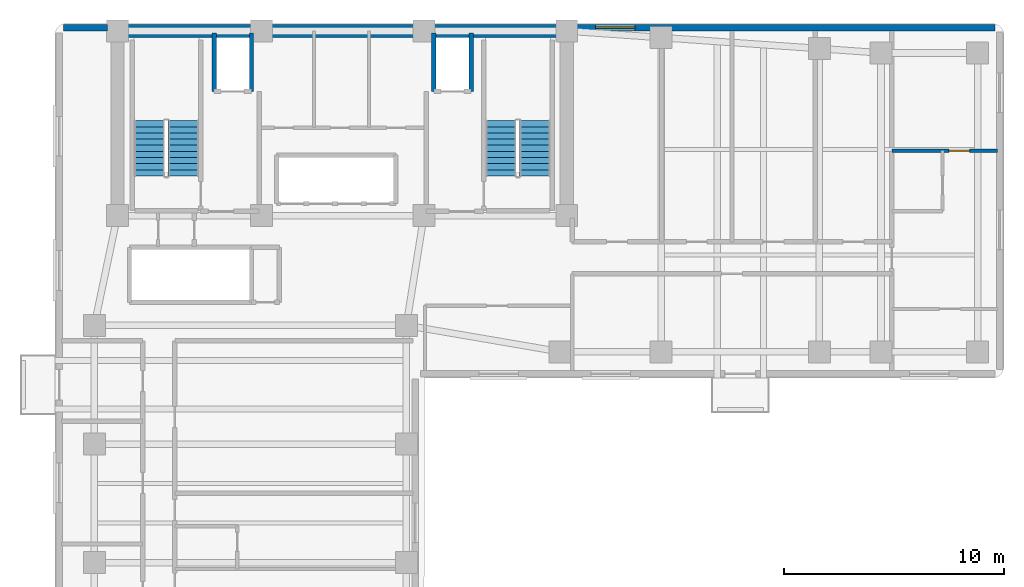
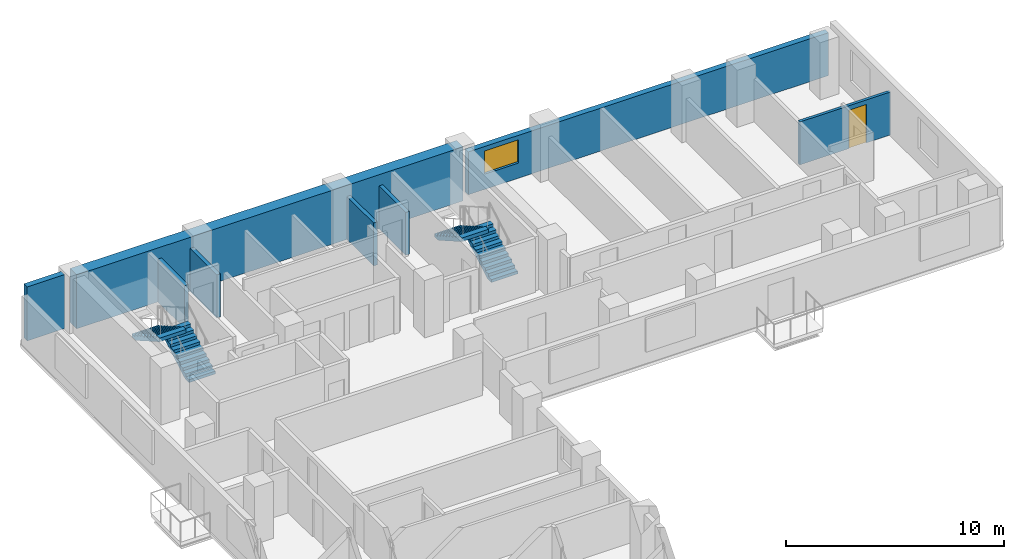
# One storey, part 5 of 7: 8 walls, 4 stair flights, 1 door, 1 window, 2 openings, 2 elements without a shape of their own.
"""IFC4 building model written with IfcOpenShell, lengths in metres."""

from ifc_helpers import new_model, si_unit, direction, frame, frame_2d, origin, place, context, subcontext, project, spatial, polyline, rectangle, outline, extrude, material, layer, layer_set, type_object, element, fill, aggregate, save


model = new_model("IFC4")

# Units and contexts
model_context = context("Model", 3, precision=1e-05, world=origin(), true_north=direction((0.0, 1.0)))
body_context = subcontext(model_context, "Body", "Model", "MODEL_VIEW")
ifc_project = project(units=[si_unit("LENGTHUNIT", "METRE"), si_unit("AREAUNIT", "SQUARE_METRE"), si_unit("VOLUMEUNIT", "CUBIC_METRE"), si_unit("PLANEANGLEUNIT", "RADIAN"), si_unit("MASSUNIT", "GRAM", prefix="KILO")], contexts=[model_context])

# Site, building, storey
site_placement = place(None, origin())
site = spatial("IfcSite", under=ifc_project, at=site_placement, CompositionType="ELEMENT")
building_placement = place(site_placement, origin())
building = spatial("IfcBuilding", under=site, at=building_placement, Name="Kuzgunbayir Cultural Tower", CompositionType="ELEMENT")
storey_placement = place(building_placement, frame((0.0, 0.0, 113.800048828125)))
storey = spatial("IfcBuildingStorey", under=building, at=storey_placement, Name="L32", CompositionType="ELEMENT", Elevation=113.800048828125)

# Wall
ifc_material_1 = material(Name="Concrete C60/75", Category="concrete")
ifc_layer_1 = layer(ifc_material_1, 0.60009765625)
ifc_layer_set_1 = layer_set([ifc_layer_1], Name="Concrete C60/75")
wall_type_1 = type_object("IfcWallType", Name="WAL-CORE-600", PredefinedType="SHEAR", material=ifc_layer_set_1)
wall_1_placement = place(storey_placement, frame((6.449951171875, 42.199951171875, 0.0), z_axis=(0.0, 0.0, 1.0), x_axis=(1.0, 0.0, 0.0)))
element("IfcWall", 1, at=wall_1_placement, inside=storey, type_object=wall_type_1, Name="L32 T1 Core North Shear Wall", PredefinedType="SHEAR", context=body_context, shape_type="SweptSolid", body=[
    extrude(rectangle(XDim=20.449951171875, YDim=0.60009765625, at=frame_2d((10.22509765625, 0.0))), origin(), (0.0, 0.0, 1.0), 3.02001953125),
])

# Wall, opening, window
ifc_material_2 = material(Name="Anatolian Cream Limestone", Category="masonry")
ifc_layer_2 = layer(ifc_material_2, 0.300048828125)
ifc_layer_set_2 = layer_set([ifc_layer_2], Name="Anatolian Cream Limestone")
wall_type_2 = type_object("IfcWallType", Name="WAL-EXT-STONE-300", PredefinedType="STANDARD", material=ifc_layer_set_2)
wall_2_placement = place(storey_placement, frame((46.39990234375, 42.35009765625, 0.0), z_axis=(0.0, 0.0, 1.0), x_axis=(-1.0, 0.0, 0.0)))
wall_2 = element("IfcWall", 2, at=wall_2_placement, inside=storey, type_object=wall_type_2, Name="L32 North Wing B Limestone Wall", PredefinedType="STANDARD", context=body_context, shape_type="SweptSolid", body=[
    extrude(rectangle(XDim=19.0498046875, YDim=0.300048828125, at=frame_2d((9.52490234375, 0.0))), origin(), (0.0, 0.0, 1.0), 2.39990234375),
])
opening_1_placement = place(wall_2_placement, frame((16.389892578125, 0.0, 0.85009765625)))
opening_1 = element("IfcOpeningElement", 3, at=opening_1_placement, cuts=wall_2, Name="Opening WH-18", PredefinedType="OPENING", context=body_context, shape_type="SweptSolid", body=[
    extrude(rectangle(XDim=1.800048828125, YDim=1.300048828125, at=frame_2d((0.89990234375, 0.64990234375))), frame((0.0, 0.16015625, 0.0), z_axis=(0.0, -1.0, 0.0), x_axis=(1.0, 0.0, 0.0)), (0.0, 0.0, 1.0), 0.320068359375),
])
ifc_material_3 = material(Name="Solar-Control Triple Glazing", Category="glass")
window_type = type_object("IfcWindowType", Name="WIN-HOTEL-18", PartitioningType="SINGLE_PANEL", PredefinedType="WINDOW", material=ifc_material_3)
window_placement = place(opening_1_placement, origin())
window = element("IfcWindow", 4, at=window_placement, inside=storey, type_object=window_type, Name="L32 CRN Facade Window 8", OverallHeight=1.300048828125, OverallWidth=1.800048828125, PartitioningType="SINGLE_PANEL", PredefinedType="WINDOW", context=body_context, shape_type="SweptSolid", body=[
    extrude(rectangle(XDim=1.800048828125, YDim=1.300048828125, at=frame_2d((0.89990234375, 0.64990234375))), frame((0.0, 0.030029296875, 0.0), z_axis=(0.0, -1.0, 0.0), x_axis=(1.0, 0.0, 0.0)), (0.0, 0.0, 1.0), 0.06005859375),
])
fill(opening_1, window)

# Wall
wall_3_placement = place(storey_placement, frame((6.0, 42.35009765625, 0.0), z_axis=(0.0, 0.0, 1.0), x_axis=(-1.0, 0.0, 0.0)))
element("IfcWall", 5, at=wall_3_placement, inside=storey, type_object=wall_type_2, Name="L32 Core North-West Spandrel Link", PredefinedType="STANDARD", context=body_context, shape_type="SweptSolid", body=[
    extrude(rectangle(XDim=2.0, YDim=0.300048828125, at=frame_2d((1.0, 0.0))), origin(), (0.0, 0.0, 1.0), 3.02001953125),
])

# Wall, opening, door
ifc_material_4 = material(Name="Acoustic Double-Stud Drywall", Category="gypsum")
ifc_layer_3 = layer(ifc_material_4, 0.14990234375)
ifc_layer_set_3 = layer_set([ifc_layer_3], Name="Acoustic Double-Stud Drywall")
wall_type_3 = type_object("IfcWallType", Name="WAL-PART-ACOUSTIC-150", PredefinedType="PARTITIONING", material=ifc_layer_set_3)
wall_4_placement = place(storey_placement, frame((41.699951171875, 36.75, 0.0), z_axis=(0.0, 0.0, 1.0), x_axis=(1.0, 0.0, 0.0)))
wall_4 = element("IfcWall", 6, at=wall_4_placement, inside=storey, type_object=wall_type_3, Name="L32 Corner Suite Bedroom Wall", PredefinedType="PARTITIONING", context=body_context, shape_type="SweptSolid", body=[
    extrude(rectangle(XDim=4.800048828125, YDim=0.14990234375, at=frame_2d((2.39990234375, 0.0))), origin(), (0.0, 0.0, 1.0), 2.39990234375),
])
opening_2_placement = place(wall_4_placement, frame((2.590087890625, 0.0, 0.0)))
opening_2 = element("IfcOpeningElement", 7, at=opening_2_placement, cuts=wall_4, Name="Opening DI-90", PredefinedType="OPENING", context=body_context, shape_type="SweptSolid", body=[
    extrude(rectangle(XDim=0.949951171875, YDim=2.14990234375, at=frame_2d((0.47509765625, 1.074951171875))), frame((0.0, 0.0849609375, 0.0), z_axis=(0.0, -1.0, 0.0), x_axis=(1.0, 0.0, 0.0)), (0.0, 0.0, 1.0), 0.169921875),
])
ifc_material_5 = material(Name="Veneered Oak Single Leaf", Category="wood")
door_type = type_object("IfcDoorType", Name="DR-INT-90", OperationType="NOTDEFINED", PredefinedType="DOOR", material=ifc_material_5)
door_placement = place(opening_2_placement, origin())
door = element("IfcDoor", 8, at=door_placement, inside=storey, type_object=door_type, Name="L32 Corner Bedroom Door", OperationType="SINGLE_SWING_RIGHT", OverallHeight=2.14990234375, OverallWidth=0.949951171875, PredefinedType="DOOR", context=body_context, shape_type="SweptSolid", body=[
    extrude(rectangle(XDim=0.949951171875, YDim=2.14990234375, at=frame_2d((0.47509765625, 1.074951171875))), frame((0.0, 0.02490234375, 0.0), z_axis=(0.0, -1.0, 0.0), x_axis=(1.0, 0.0, 0.0)), (0.0, 0.0, 1.0), 0.050048828125),
])
fill(opening_2, door)

# Walls
ifc_material_6 = material(Name="Concrete C40/50", Category="concrete")
ifc_layer_4 = layer(ifc_material_6, 0.199951171875)
ifc_layer_set_4 = layer_set([ifc_layer_4], Name="Concrete C40/50")
wall_type_4 = type_object("IfcWallType", Name="WAL-SHAFT-200", PredefinedType="MOVABLE", material=ifc_layer_set_4)
for number, where, z_axis, x_axis, name in (
    (9, (10.85009765625, 39.449951171875, 0.0), (0.0, 0.0, 1.0), (0.0, 1.0, 0.0), "L32 FFL-1 Shaft West Wall"),
    (10, (12.550048828125, 39.449951171875, 0.0), (0.0, 0.0, 1.0), (0.0, 1.0, 0.0), "L32 FFL-1 Shaft East Wall"),
    (11, (20.85009765625, 39.449951171875, 0.0), (0.0, 0.0, 1.0), (0.0, 1.0, 0.0), "L32 FFL-2 Shaft West Wall"),
    (12, (22.550048828125, 39.449951171875, 0.0), (0.0, 0.0, 1.0), (0.0, 1.0, 0.0), "L32 FFL-2 Shaft East Wall"),
):
    element("IfcWall", number, at=place(storey_placement, frame(where, z_axis=z_axis, x_axis=x_axis)), inside=storey, type_object=wall_type_4, Name=name, PredefinedType="MOVABLE", context=body_context, shape_type="SweptSolid", body=[
        extrude(rectangle(XDim=2.650146484375, YDim=0.199951171875, at=frame_2d((1.3251953125, 0.0))), origin(), (0.0, 0.0, 1.0), 2.39990234375),
    ])

# Stair, stair flights
stair_type = type_object("IfcStairType", Name="STR-EXIT-CORE", PredefinedType="HALF_TURN_STAIR", material=ifc_material_6)
stair_1_placement = place(storey_placement, origin())
stair_1 = element("IfcStair", 13, at=stair_1_placement, inside=storey, type_object=stair_type, Name="L32 ST-1", PredefinedType="HALF_TURN_STAIR")
stair_flight_type = type_object("IfcStairFlightType", Name="STRF-RC-140", PredefinedType="STRAIGHT", material=ifc_material_6)
stair_flight_1_placement = place(storey_placement, frame((9.4599609375, 35.60009765625, 0.0), z_axis=(0.0, 0.0, 1.0), x_axis=(0.0, 1.0, 0.0)))
stair_flight_1 = element("IfcStairFlight", 14, at=stair_flight_1_placement, type_object=stair_flight_type, Name="ST-1 flight 1", NumberOfRisers=10, NumberOfTreads=9, PredefinedType="STRAIGHT", RiserHeight=0.16, TreadLength=0.28, context=body_context, shape_type="SweptSolid", body=[
    extrude(outline(polyline([(0.0, 0.0), (0.0, 0.159912109375), (0.280029296875, 0.159912109375), (0.280029296875, 0.320068359375), (0.56005859375, 0.320068359375), (0.56005859375, 0.47998046875), (0.840087890625, 0.47998046875), (0.840087890625, 0.639892578125), (1.1201171875, 0.639892578125), (1.1201171875, 0.800048828125), (1.39990234375, 0.800048828125), (1.39990234375, 0.9599609375), (1.679931640625, 0.9599609375), (1.679931640625, 1.1201171875), (1.9599609375, 1.1201171875), (1.9599609375, 1.280029296875), (2.239990234375, 1.280029296875), (2.239990234375, 1.43994140625), (2.52001953125, 1.43994140625), (2.52001953125, 1.60009765625), (2.52001953125, 1.232666015625), (0.362548828125, 0.0), (0.0, 0.0)])), frame((0.0, 0.699951171875, 0.0), z_axis=(0.0, -1.0, 0.0), x_axis=(1.0, 0.0, 0.0)), (0.0, 0.0, 1.0), 1.39990234375),
])
stair_flight_2_placement = place(storey_placement, frame((7.89990234375, 38.1201171875, 1.599853515625), z_axis=(0.0, 0.0, 1.0), x_axis=(0.0, -1.0, 0.0)))
stair_flight_2 = element("IfcStairFlight", 15, at=stair_flight_2_placement, type_object=stair_flight_type, Name="ST-1 flight 2", NumberOfRisers=10, NumberOfTreads=9, PredefinedType="STRAIGHT", RiserHeight=0.16, TreadLength=0.28, context=body_context, shape_type="SweptSolid", body=[
    extrude(outline(polyline([(0.0, 0.0), (0.0, 0.159912109375), (0.280029296875, 0.159912109375), (0.280029296875, 0.320068359375), (0.56005859375, 0.320068359375), (0.56005859375, 0.47998046875), (0.840087890625, 0.47998046875), (0.840087890625, 0.639892578125), (1.1201171875, 0.639892578125), (1.1201171875, 0.800048828125), (1.39990234375, 0.800048828125), (1.39990234375, 0.9599609375), (1.679931640625, 0.9599609375), (1.679931640625, 1.1201171875), (1.9599609375, 1.1201171875), (1.9599609375, 1.280029296875), (2.239990234375, 1.280029296875), (2.239990234375, 1.43994140625), (2.52001953125, 1.43994140625), (2.52001953125, 1.60009765625), (2.52001953125, 1.232666015625), (0.362548828125, 0.0), (0.0, 0.0)])), frame((0.0, 0.699951171875, 0.0), z_axis=(0.0, -1.0, 0.0), x_axis=(1.0, 0.0, 0.0)), (0.0, 0.0, 1.0), 1.39990234375),
])
aggregate(stair_1, [stair_flight_1, stair_flight_2])

stair_2_placement = place(storey_placement, origin())
stair_2 = element("IfcStair", 16, at=stair_2_placement, inside=storey, type_object=stair_type, Name="L32 ST-2", PredefinedType="HALF_TURN_STAIR")
stair_flight_3_placement = place(storey_placement, frame((25.4599609375, 35.60009765625, 0.0), z_axis=(0.0, 0.0, 1.0), x_axis=(0.0, 1.0, 0.0)))
stair_flight_3 = element("IfcStairFlight", 17, at=stair_flight_3_placement, type_object=stair_flight_type, Name="ST-2 flight 1", NumberOfRisers=10, NumberOfTreads=9, PredefinedType="STRAIGHT", RiserHeight=0.16, TreadLength=0.28, context=body_context, shape_type="SweptSolid", body=[
    extrude(outline(polyline([(0.0, 0.0), (0.0, 0.159912109375), (0.280029296875, 0.159912109375), (0.280029296875, 0.320068359375), (0.56005859375, 0.320068359375), (0.56005859375, 0.47998046875), (0.840087890625, 0.47998046875), (0.840087890625, 0.639892578125), (1.1201171875, 0.639892578125), (1.1201171875, 0.800048828125), (1.39990234375, 0.800048828125), (1.39990234375, 0.9599609375), (1.679931640625, 0.9599609375), (1.679931640625, 1.1201171875), (1.9599609375, 1.1201171875), (1.9599609375, 1.280029296875), (2.239990234375, 1.280029296875), (2.239990234375, 1.43994140625), (2.52001953125, 1.43994140625), (2.52001953125, 1.60009765625), (2.52001953125, 1.232666015625), (0.362548828125, 0.0), (0.0, 0.0)])), frame((0.0, 0.699951171875, 0.0), z_axis=(0.0, -1.0, 0.0), x_axis=(1.0, 0.0, 0.0)), (0.0, 0.0, 1.0), 1.39990234375),
])
stair_flight_4_placement = place(storey_placement, frame((23.89990234375, 38.1201171875, 1.599853515625), z_axis=(0.0, 0.0, 1.0), x_axis=(0.0, -1.0, 0.0)))
stair_flight_4 = element("IfcStairFlight", 18, at=stair_flight_4_placement, type_object=stair_flight_type, Name="ST-2 flight 2", NumberOfRisers=10, NumberOfTreads=9, PredefinedType="STRAIGHT", RiserHeight=0.16, TreadLength=0.28, context=body_context, shape_type="SweptSolid", body=[
    extrude(outline(polyline([(0.0, 0.0), (0.0, 0.159912109375), (0.280029296875, 0.159912109375), (0.280029296875, 0.320068359375), (0.56005859375, 0.320068359375), (0.56005859375, 0.47998046875), (0.840087890625, 0.47998046875), (0.840087890625, 0.639892578125), (1.1201171875, 0.639892578125), (1.1201171875, 0.800048828125), (1.39990234375, 0.800048828125), (1.39990234375, 0.9599609375), (1.679931640625, 0.9599609375), (1.679931640625, 1.1201171875), (1.9599609375, 1.1201171875), (1.9599609375, 1.280029296875), (2.239990234375, 1.280029296875), (2.239990234375, 1.43994140625), (2.52001953125, 1.43994140625), (2.52001953125, 1.60009765625), (2.52001953125, 1.232666015625), (0.362548828125, 0.0), (0.0, 0.0)])), frame((0.0, 0.699951171875, 0.0), z_axis=(0.0, -1.0, 0.0), x_axis=(1.0, 0.0, 0.0)), (0.0, 0.0, 1.0), 1.39990234375),
])
aggregate(stair_2, [stair_flight_3, stair_flight_4])

save(model, "model.ifc")
